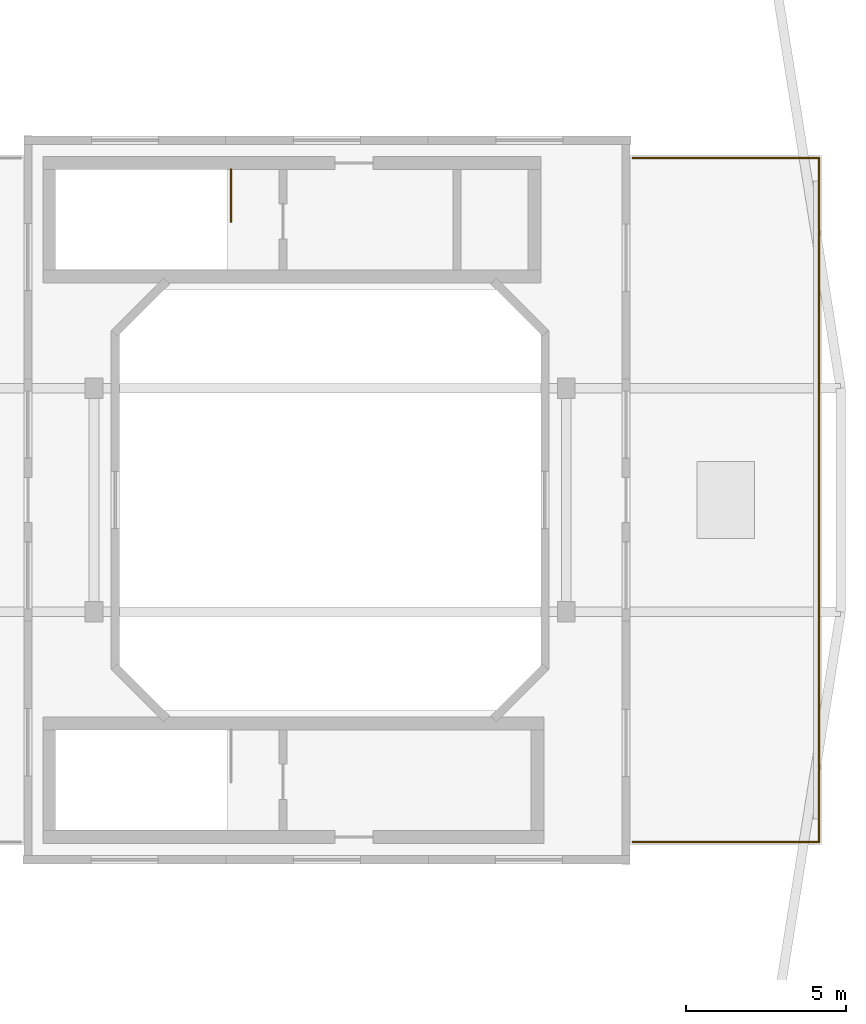
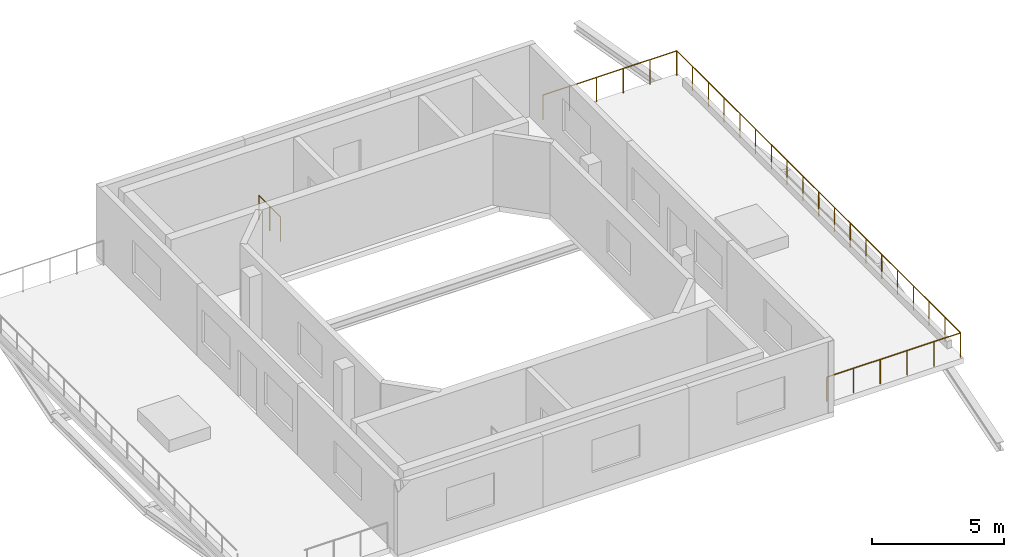
# One storey, part 18 of 18: 4 railings.
"""IFC4 building model written with IfcOpenShell, lengths in metres."""

from ifc_helpers import new_model, si_unit, derived_unit, direction, frame, origin, origin_2d, place, context, subcontext, project, spatial, circle, extrude, material, type_object, element, save


model = new_model("IFC4")

# Units and contexts
model_context = context("Model", 3, precision=1e-05, world=origin(), true_north=direction((0.0, 1.0)))
body_context = subcontext(model_context, "Body", "Model", "MODEL_VIEW")
ifc_project = project(units=[si_unit("LENGTHUNIT", "METRE"), si_unit("AREAUNIT", "SQUARE_METRE"), si_unit("VOLUMEUNIT", "CUBIC_METRE"), si_unit("PLANEANGLEUNIT", "RADIAN"), si_unit("MASSUNIT", "GRAM", prefix="KILO"), derived_unit("THERMALTRANSMITTANCEUNIT", [(si_unit("POWERUNIT", "WATT"), 1), (si_unit("LENGTHUNIT", "METRE"), -2), (si_unit("THERMODYNAMICTEMPERATUREUNIT", "KELVIN"), -1)])], contexts=[model_context])

# Site, building, storey
site_placement = place(None, origin())
site = spatial("IfcSite", under=ifc_project, at=site_placement, CompositionType="ELEMENT")
building_placement = place(site_placement, origin())
building = spatial("IfcBuilding", under=site, at=building_placement, Name="Kivonza Crest Hotel", CompositionType="ELEMENT")
storey_placement = place(building_placement, frame((0.0, 0.0, 131.0)))
storey = spatial("IfcBuildingStorey", under=building, at=storey_placement, Name="L35", CompositionType="ELEMENT", Elevation=131.0)

# Railings
ifc_material_1 = material(Name="Painted steel balustrade", Category="steel")
railing_type_1 = type_object("IfcRailingType", Name="RL-STAIR-1150", PredefinedType="BALUSTRADE", material=ifc_material_1)
railing_1_placement = place(storey_placement, frame((73.889892578125, 35.360107421875, 0.0)))
element("IfcRailing", 1, at=railing_1_placement, inside=storey, type_object=railing_type_1, Name="L35 ST-T2-N top well guard 1", PredefinedType="BALUSTRADE", context=body_context, shape_type="SweptSolid", body=[
    extrude(circle(Radius=0.02392578125, at=origin_2d()), frame((0.0, 0.0, 1.1259765625), z_axis=(0.0, -1.0, 0.0), x_axis=(1.0, 0.0, 0.0)), (0.0, 0.0, 1.0), 1.64013671875),
    extrude(circle(Radius=0.02099609375, at=origin_2d()), origin(), (0.0, 0.0, 1.0), 1.101806640625),
    extrude(circle(Radius=0.02099609375, at=origin_2d()), frame((0.0, -0.820068359375, 0.0)), (0.0, 0.0, 1.0), 1.101806640625),
    extrude(circle(Radius=0.02099609375, at=origin_2d()), frame((0.0, -1.64013671875, 0.0)), (0.0, 0.0, 1.0), 1.101806640625),
])
ifc_material_2 = material(Name="Laminated glass and stainless steel balustrade", Category="steel")
railing_type_2 = type_object("IfcRailingType", Name="RL-TERR-1150", PredefinedType="BALUSTRADE", material=ifc_material_2)
railing_2_placement = place(storey_placement, frame((86.47998046875, 35.719970703125, 0.0)))
element("IfcRailing", 2, at=railing_2_placement, inside=storey, type_object=railing_type_2, Name="L35 T2-L35-TE perimeter safety balustrade 1", PredefinedType="BALUSTRADE", context=body_context, shape_type="SweptSolid", body=[
    extrude(circle(Radius=0.02392578125, at=origin_2d()), frame((0.0, 0.0, 1.1259765625), z_axis=(1.0, 0.0, 0.0), x_axis=(0.0, 1.0, 0.0)), (0.0, 0.0, 1.0), 5.840087890625),
    extrude(circle(Radius=0.02099609375, at=origin_2d()), origin(), (0.0, 0.0, 1.0), 1.101806640625),
    extrude(circle(Radius=0.02099609375, at=origin_2d()), frame((1.16796875, 0.0, 0.0)), (0.0, 0.0, 1.0), 1.101806640625),
    extrude(circle(Radius=0.02099609375, at=origin_2d()), frame((2.3359375, 0.0, 0.0)), (0.0, 0.0, 1.0), 1.101806640625),
    extrude(circle(Radius=0.02099609375, at=origin_2d()), frame((3.504150390625, 0.0, 0.0)), (0.0, 0.0, 1.0), 1.101806640625),
    extrude(circle(Radius=0.02099609375, at=origin_2d()), frame((4.672119140625, 0.0, 0.0)), (0.0, 0.0, 1.0), 1.101806640625),
    extrude(circle(Radius=0.02099609375, at=origin_2d()), frame((5.840087890625, 0.0, 0.0)), (0.0, 0.0, 1.0), 1.101806640625),
])
railing_3_placement = place(storey_placement, frame((92.320068359375, 35.719970703125, 0.0)))
element("IfcRailing", 3, at=railing_3_placement, inside=storey, type_object=railing_type_2, Name="L35 T2-L35-TE perimeter safety balustrade 2", PredefinedType="BALUSTRADE", context=body_context, shape_type="SweptSolid", body=[
    extrude(circle(Radius=0.02392578125, at=origin_2d()), frame((0.0, 0.0, 1.1259765625), z_axis=(0.0, -1.0, 0.0), x_axis=(1.0, 0.0, 0.0)), (0.0, 0.0, 1.0), 21.43994140625),
    extrude(circle(Radius=0.02099609375, at=origin_2d()), origin(), (0.0, 0.0, 1.0), 1.101806640625),
    extrude(circle(Radius=0.02099609375, at=origin_2d()), frame((0.0, -1.191162109375, 0.0)), (0.0, 0.0, 1.0), 1.101806640625),
    extrude(circle(Radius=0.02099609375, at=origin_2d()), frame((0.0, -2.38232421875, 0.0)), (0.0, 0.0, 1.0), 1.101806640625),
    extrude(circle(Radius=0.02099609375, at=origin_2d()), frame((0.0, -3.5732421875, 0.0)), (0.0, 0.0, 1.0), 1.101806640625),
    extrude(circle(Radius=0.02099609375, at=origin_2d()), frame((0.0, -4.764404296875, 0.0)), (0.0, 0.0, 1.0), 1.101806640625),
    extrude(circle(Radius=0.02099609375, at=origin_2d()), frame((0.0, -5.95556640625, 0.0)), (0.0, 0.0, 1.0), 1.101806640625),
    extrude(circle(Radius=0.02099609375, at=origin_2d()), frame((0.0, -7.146728515625, 0.0)), (0.0, 0.0, 1.0), 1.101806640625),
    extrude(circle(Radius=0.02099609375, at=origin_2d()), frame((0.0, -8.337646484375, 0.0)), (0.0, 0.0, 1.0), 1.101806640625),
    extrude(circle(Radius=0.02099609375, at=origin_2d()), frame((0.0, -9.52880859375, 0.0)), (0.0, 0.0, 1.0), 1.101806640625),
    extrude(circle(Radius=0.02099609375, at=origin_2d()), frame((0.0, -10.719970703125, 0.0)), (0.0, 0.0, 1.0), 1.101806640625),
    extrude(circle(Radius=0.02099609375, at=origin_2d()), frame((0.0, -11.9111328125, 0.0)), (0.0, 0.0, 1.0), 1.101806640625),
    extrude(circle(Radius=0.02099609375, at=origin_2d()), frame((0.0, -13.102294921875, 0.0)), (0.0, 0.0, 1.0), 1.101806640625),
    extrude(circle(Radius=0.02099609375, at=origin_2d()), frame((0.0, -14.293212890625, 0.0)), (0.0, 0.0, 1.0), 1.101806640625),
    extrude(circle(Radius=0.02099609375, at=origin_2d()), frame((0.0, -15.484375, 0.0)), (0.0, 0.0, 1.0), 1.101806640625),
    extrude(circle(Radius=0.02099609375, at=origin_2d()), frame((0.0, -16.675537109375, 0.0)), (0.0, 0.0, 1.0), 1.101806640625),
    extrude(circle(Radius=0.02099609375, at=origin_2d()), frame((0.0, -17.86669921875, 0.0)), (0.0, 0.0, 1.0), 1.101806640625),
    extrude(circle(Radius=0.02099609375, at=origin_2d()), frame((0.0, -19.0576171875, 0.0)), (0.0, 0.0, 1.0), 1.101806640625),
    extrude(circle(Radius=0.02099609375, at=origin_2d()), frame((0.0, -20.248779296875, 0.0)), (0.0, 0.0, 1.0), 1.101806640625),
    extrude(circle(Radius=0.02099609375, at=origin_2d()), frame((0.0, -21.43994140625, 0.0)), (0.0, 0.0, 1.0), 1.101806640625),
])
railing_4_placement = place(storey_placement, frame((92.320068359375, 14.280029296875, 0.0)))
element("IfcRailing", 4, at=railing_4_placement, inside=storey, type_object=railing_type_2, Name="L35 T2-L35-TE perimeter safety balustrade 3", PredefinedType="BALUSTRADE", context=body_context, shape_type="SweptSolid", body=[
    extrude(circle(Radius=0.02392578125, at=origin_2d()), frame((0.0, 0.0, 1.1259765625), z_axis=(-1.0, 0.0, 0.0), x_axis=(0.0, -1.0, 0.0)), (0.0, 0.0, 1.0), 5.840087890625),
    extrude(circle(Radius=0.02099609375, at=origin_2d()), origin(), (0.0, 0.0, 1.0), 1.101806640625),
    extrude(circle(Radius=0.02099609375, at=origin_2d()), frame((-1.16796875, 0.0, 0.0)), (0.0, 0.0, 1.0), 1.101806640625),
    extrude(circle(Radius=0.02099609375, at=origin_2d()), frame((-2.3359375, 0.0, 0.0)), (0.0, 0.0, 1.0), 1.101806640625),
    extrude(circle(Radius=0.02099609375, at=origin_2d()), frame((-3.504150390625, 0.0, 0.0)), (0.0, 0.0, 1.0), 1.101806640625),
    extrude(circle(Radius=0.02099609375, at=origin_2d()), frame((-4.672119140625, 0.0, 0.0)), (0.0, 0.0, 1.0), 1.101806640625),
    extrude(circle(Radius=0.02099609375, at=origin_2d()), frame((-5.840087890625, 0.0, 0.0)), (0.0, 0.0, 1.0), 1.101806640625),
])

save(model, "model.ifc")
